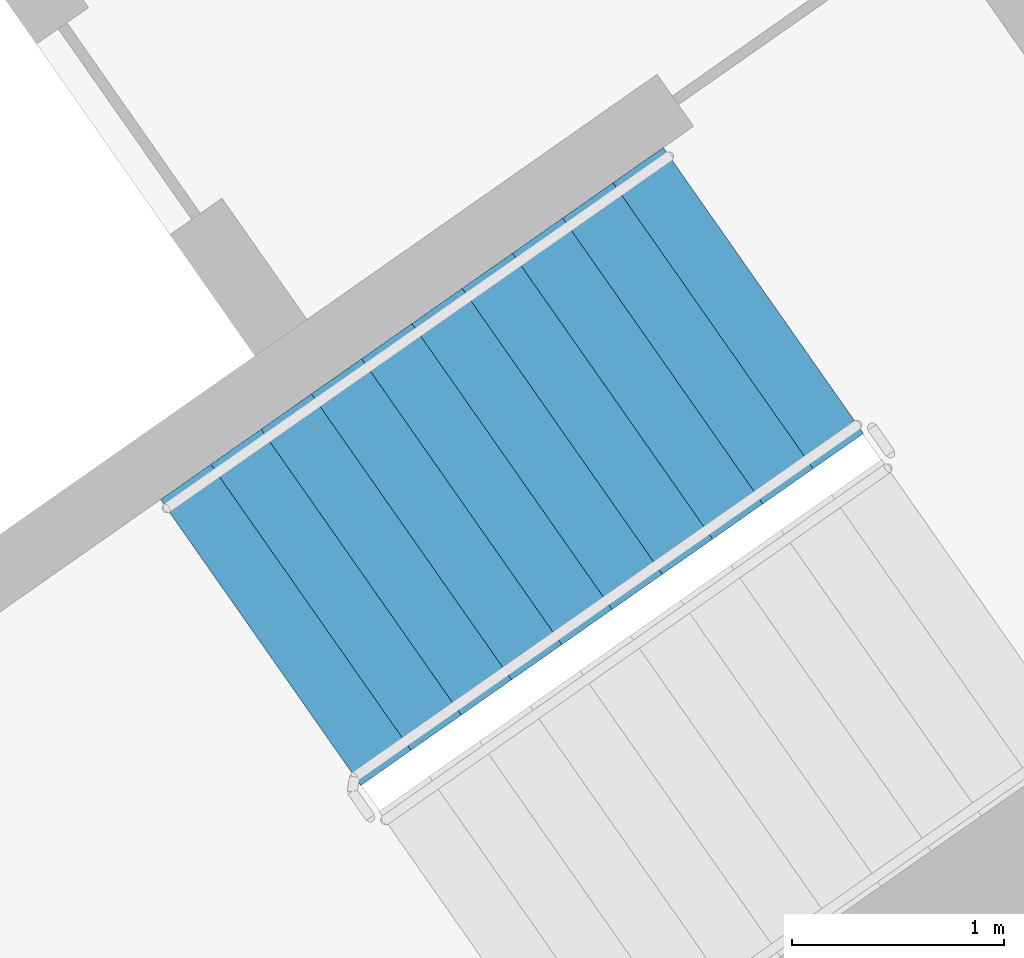
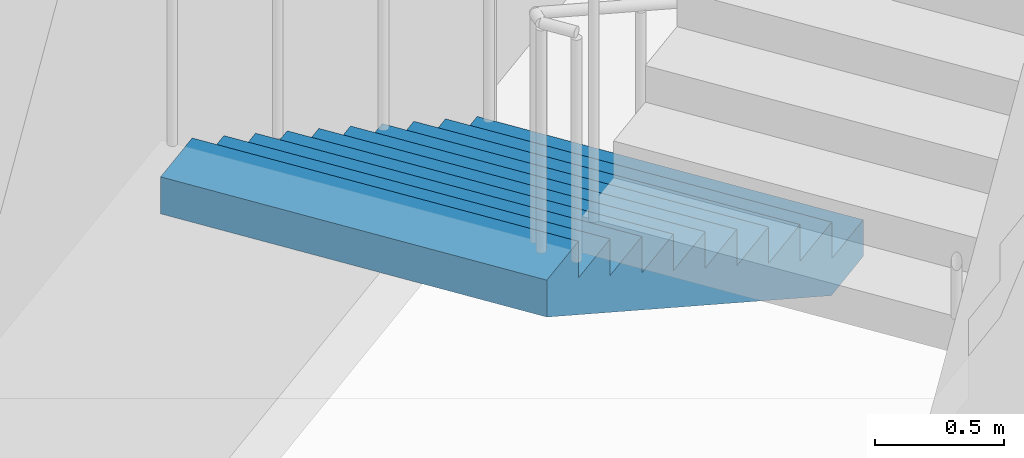
# One storey, part 15 of 28: 1 stair flight, 1 element without a shape of its own.
"""IFC4 building model written with IfcOpenShell, lengths in metres."""

import ifcopenshell
import ifcopenshell.guid

model = None  # the IFC model being written
_history = None  # IfcOwnerHistory: only IFC2X3 demands one
_inside = {}  # id of a spatial element -> (the spatial element, [elements in it])
_under = {}  # id of a project, library or spatial element -> (it, [spatial elements below it])
_declared = {}  # id of a project -> (the project, [libraries it declares])
_typed = {}  # id of a type object -> (the type object, [elements of that type])
_made_of = {}  # id of a material, layer set ... -> (it, [elements and type objects made of it])


def new_model(schema):
    """Start an empty IFC model of exactly this schema.

    Asked for "IFC4X3", IfcOpenShell would pick the latest addendum, in which some entities
    have other attributes; the version numbers below select the first issue.
    IFC2X3 requires an IfcOwnerHistory on every rooted entity: one is made here for all.
    """
    global model, _history
    if schema == "IFC4X3":
        model = ifcopenshell.file(schema_version=(4, 3, 0, 0))
    else:
        model = ifcopenshell.file(schema=schema)
    _inside.clear()
    _under.clear()
    _declared.clear()
    _typed.clear()
    _made_of.clear()
    _history = None
    if model.schema == "IFC2X3":
        org = make("IfcOrganization", Name="unknown")
        user = make(
            "IfcPersonAndOrganization",
            ThePerson=make("IfcPerson", FamilyName="unknown"),
            TheOrganization=org,
        )
        app = make(
            "IfcApplication",
            ApplicationDeveloper=org,
            Version="unknown",
            ApplicationFullName="unknown",
            ApplicationIdentifier="unknown",
        )
        _history = make(
            "IfcOwnerHistory",
            OwningUser=user,
            OwningApplication=app,
            ChangeAction="ADDED",
            CreationDate=0,
        )
    return model


def make(cls, **values):
    """One entity of the class cls with the attributes given. An attribute that is None is left unset."""
    return model.create_entity(
        cls, **{name: value for name, value in values.items() if value is not None}
    )


def rooted(cls, **values):
    """An entity with a GlobalId (a new one), such as an element, a storey or a relation."""
    return make(cls, GlobalId=ifcopenshell.guid.new(), OwnerHistory=_history, **values)


def si_unit(unit_type, name, prefix=None):
    """IfcSIUnit, for example si_unit("LENGTHUNIT", "METRE", prefix="MILLI")."""
    return make("IfcSIUnit", UnitType=unit_type, Prefix=prefix, Name=name)


def assignment(units):
    """IfcUnitAssignment: the units of a project."""
    return None if units is None else make("IfcUnitAssignment", Units=units)


def point(xyz):
    """IfcCartesianPoint."""
    return None if xyz is None else make("IfcCartesianPoint", Coordinates=xyz)


def direction(xyz):
    """IfcDirection."""
    return None if xyz is None else make("IfcDirection", DirectionRatios=xyz)


def frame(location, z_axis=None, x_axis=None):
    """IfcAxis2Placement3D, a coordinate frame: its origin and axes. An axis left out is left unset."""
    return make(
        "IfcAxis2Placement3D",
        Location=point(location),
        Axis=direction(z_axis),
        RefDirection=direction(x_axis),
    )


def origin():
    """The frame at (0, 0, 0) with its axes left unset."""
    return frame((0.0, 0.0, 0.0))


def place(relative_to, where):
    """IfcLocalPlacement: puts the frame where relative to a parent placement (None: the world)."""
    return make(
        "IfcLocalPlacement", PlacementRelTo=relative_to, RelativePlacement=where
    )


def context(
    kind, dimensions, precision=None, world=None, true_north=None, identifier=None
):
    """IfcGeometricRepresentationContext, for example the 3D "Model" context."""
    return make(
        "IfcGeometricRepresentationContext",
        ContextIdentifier=identifier,
        ContextType=kind,
        CoordinateSpaceDimension=dimensions,
        Precision=precision,
        WorldCoordinateSystem=world,
        TrueNorth=true_north,
    )


def subcontext(parent, identifier, kind, view, scale=None):
    """IfcGeometricRepresentationSubContext, for example "Body" below "Model"."""
    return make(
        "IfcGeometricRepresentationSubContext",
        ContextIdentifier=identifier,
        ContextType=kind,
        ParentContext=parent,
        TargetScale=scale,
        TargetView=view,
    )


def project(units=None, contexts=None):
    """IfcProject with its units and contexts."""
    return rooted(
        "IfcProject",
        Name="project",
        RepresentationContexts=contexts,
        UnitsInContext=assignment(units),
    )


def spatial(cls, under=None, at=None, **own):
    """A site, building, storey or space (cls), placed at a placement, below another one or the project."""
    s = rooted(cls, ObjectPlacement=at, **own)
    if under is not None:
        _under.setdefault(under.id(), (under, []))[1].append(s)
    return s


def faces_of(points, faces, orient=None, outer=None):
    """IfcFace entities. A face is a list of loops; a loop is a list of indices into points, from 0.

    orient and outer hold one flag for each loop. By default every Orientation is true, the
    first loop of a face is its IfcFaceOuterBound and the others are IfcFaceBound.
    """
    made = []
    for i, loops in enumerate(faces):
        bounds = []
        for j, loop in enumerate(loops):
            is_outer = j == 0 if outer is None else outer[i][j]
            bounds.append(
                make(
                    "IfcFaceOuterBound" if is_outer else "IfcFaceBound",
                    Bound=make("IfcPolyLoop", Polygon=[points[k] for k in loop]),
                    Orientation=True if orient is None else orient[i][j],
                )
            )
        made.append(make("IfcFace", Bounds=bounds))
    return made


def faceted_brep(points, faces, orient=None, outer=None, voids=None):
    """IfcFacetedBrep: a solid bounded by flat faces; with voids (closed shells), ...WithVoids."""
    shared = [point(p) for p in points]
    hull = make("IfcClosedShell", CfsFaces=faces_of(shared, faces, orient, outer))
    if voids is None:
        return make("IfcFacetedBrep", Outer=hull)
    return make(
        "IfcFacetedBrepWithVoids",
        Outer=hull,
        Voids=[
            make(cls, CfsFaces=faces_of(shared, fs, o, b)) for cls, fs, o, b in voids
        ],
    )


def shape(context_of_items, identifier, shape_type, items):
    """IfcShapeRepresentation: the items that make up one representation, for example the "Body"."""
    return make(
        "IfcShapeRepresentation",
        ContextOfItems=context_of_items,
        RepresentationIdentifier=identifier,
        RepresentationType=shape_type,
        Items=items,
    )


def material(Name=None, Category=None):
    """IfcMaterial."""
    return make("IfcMaterial", Name=Name, Category=Category)


def made_of(thing, what):
    """Note that an element or type object is made of a material, layer set ...; save() writes the relation."""
    if what is not None:
        _made_of.setdefault(what.id(), (what, []))[1].append(thing)
    return thing


def type_object(cls, material=None, **own):
    """A type object (cls), such as IfcWallType, which elements share."""
    return made_of(rooted(cls, **own), material)


def element(
    cls,
    number,
    at=None,
    inside=None,
    cuts=None,
    type_object=None,
    material=None,
    context=None,
    identifier="Body",
    shape_type=None,
    held_by="IfcProductDefinitionShape",
    body=None,
    shapes=None,
    **own,
):
    """One element of the class cls, such as IfcWall. Its Tag is "e" and its number.

    at: its placement. inside: the storey or other place that contains it. cuts: it is an
    opening in that element (IfcRelVoidsElement). A single representation is given by context,
    identifier, shape_type and body (its items); several are given by shapes. held_by: the class
    of the entity that holds the representations. save() writes the other relations.
    """
    e = rooted(cls, Tag="e%d" % number, ObjectPlacement=at, **own)
    if body is not None:
        shapes = [shape(context, identifier, shape_type, body)]
    if shapes is not None:
        e.Representation = make(held_by, Representations=shapes)
    if inside is not None:
        _inside.setdefault(inside.id(), (inside, []))[1].append(e)
    if cuts is not None:
        rooted(
            "IfcRelVoidsElement", RelatingBuildingElement=cuts, RelatedOpeningElement=e
        )
    if type_object is not None:
        _typed.setdefault(type_object.id(), (type_object, []))[1].append(e)
    return made_of(e, material)


def aggregate(whole, parts):
    """IfcRelAggregates: a whole, such as a stair, and the parts it consists of."""
    return rooted("IfcRelAggregates", RelatingObject=whole, RelatedObjects=parts)


def save(model, path):
    """Write the relations noted so far, then the file.

    IfcRelAggregates (storeys below a building ...), IfcRelContainedInSpatialStructure (elements
    in a storey), IfcRelDefinesByType, IfcRelAssociatesMaterial and IfcRelDeclares: one each for
    every whole, place, type object, material and project.
    """
    for whole, parts in _under.values():
        aggregate(whole, parts)
    for where, things in _inside.values():
        rooted(
            "IfcRelContainedInSpatialStructure",
            RelatedElements=things,
            RelatingStructure=where,
        )
    for kind, things in _typed.values():
        rooted("IfcRelDefinesByType", RelatedObjects=things, RelatingType=kind)
    for what, things in _made_of.values():
        rooted("IfcRelAssociatesMaterial", RelatedObjects=things, RelatingMaterial=what)
    for by, libraries in _declared.values():
        rooted("IfcRelDeclares", RelatingContext=by, RelatedDefinitions=libraries)
    model.write(path)


model = new_model("IFC4")

# Units and contexts
model_context = context("Model", 3, precision=1e-05, world=origin(), true_north=direction((0.0, 1.0)))
body_context = subcontext(model_context, "Body", "Model", "MODEL_VIEW")
ifc_project = project(units=[si_unit("LENGTHUNIT", "METRE"), si_unit("AREAUNIT", "SQUARE_METRE"), si_unit("VOLUMEUNIT", "CUBIC_METRE"), si_unit("PLANEANGLEUNIT", "RADIAN"), si_unit("MASSUNIT", "GRAM", prefix="KILO")], contexts=[model_context])

# Site, building, storey
site_placement = place(None, origin())
site = spatial("IfcSite", under=ifc_project, at=site_placement, CompositionType="ELEMENT")
building_placement = place(site_placement, origin())
building = spatial("IfcBuilding", under=site, at=building_placement, Name="Qamariyya Broadcast Tower", CompositionType="ELEMENT")
storey_placement = place(building_placement, frame((0.0, 0.0, 230.300048828125)))
storey = spatial("IfcBuildingStorey", under=building, at=storey_placement, Name="L55", CompositionType="ELEMENT", Elevation=230.300048828125)

# Stair, stair flight
ifc_material = material(Name="Concrete C50/60", Category="concrete")
stair_type = type_object("IfcStairType", Name="Exit stair 22 risers of 173 mm", PredefinedType="HALF_TURN_STAIR", material=ifc_material)
stair_placement = place(storey_placement, origin())
stair = element("IfcStair", 1, at=stair_placement, inside=storey, type_object=stair_type, Name="L55 Stair E1", PredefinedType="HALF_TURN_STAIR")
stair_flight_type = type_object("IfcStairFlightType", Name="Exit stair flight 11 risers of 173 mm", PredefinedType="STRAIGHT", material=ifc_material)
stair_flight_placement = place(storey_placement, frame((46.036376953125, -55.508056640625, 0.0), z_axis=(0.0, 0.0, 1.0), x_axis=(-0.819152044289, -0.573576436351, 0.0)))
stair_flight = element("IfcStairFlight", 2, at=stair_flight_placement, type_object=stair_flight_type, Name="ST-E1 flight 1", NumberOfRisers=11, NumberOfTreads=10, PredefinedType="STRAIGHT", RiserHeight=0.172727273, TreadLength=0.29, context=body_context, shape_type="Brep", body=[
    faceted_brep([(0.0, 0.824951171875, 0.0), (0.0, 0.824951171875, 0.172607421875), (0.2900390625, 0.824951171875, 0.172607421875), (0.2900390625, 0.824951171875, 0.345458984375), (0.580078125, 0.824951171875, 0.345458984375), (0.580078125, 0.824951171875, 0.51806640625), (0.8701171875, 0.824951171875, 0.51806640625), (0.8701171875, 0.824951171875, 0.69091796875), (1.159912109375, 0.824951171875, 0.69091796875), (1.159912109375, 0.824951171875, 0.863525390625), (1.449951171875, 0.824951171875, 0.863525390625), (1.449951171875, 0.824951171875, 1.036376953125), (1.739990234375, 0.824951171875, 1.036376953125), (1.739990234375, 0.824951171875, 1.208984375), (2.030029296875, 0.824951171875, 1.208984375), (2.030029296875, 0.824951171875, 1.3818359375), (2.320068359375, 0.824951171875, 1.3818359375), (2.320068359375, 0.824951171875, 1.554443359375), (2.610107421875, 0.824951171875, 1.554443359375), (2.610107421875, 0.824951171875, 1.727294921875), (2.89990234375, 0.824951171875, 1.727294921875), (2.89990234375, 0.824951171875, 1.552734375), (0.29296875, 0.824951171875, 0.0), (0.29296875, -0.824951171875, 0.0), (2.89990234375, -0.824951171875, 1.552734375), (2.89990234375, -0.824951171875, 1.727294921875), (2.610107421875, -0.824951171875, 1.727294921875), (2.610107421875, -0.824951171875, 1.554443359375), (2.320068359375, -0.824951171875, 1.554443359375), (2.320068359375, -0.824951171875, 1.3818359375), (2.030029296875, -0.824951171875, 1.3818359375), (2.030029296875, -0.824951171875, 1.208984375), (1.739990234375, -0.824951171875, 1.208984375), (1.739990234375, -0.824951171875, 1.036376953125), (1.449951171875, -0.824951171875, 1.036376953125), (1.449951171875, -0.824951171875, 0.863525390625), (1.159912109375, -0.824951171875, 0.863525390625), (1.159912109375, -0.824951171875, 0.69091796875), (0.8701171875, -0.824951171875, 0.69091796875), (0.8701171875, -0.824951171875, 0.51806640625), (0.580078125, -0.824951171875, 0.51806640625), (0.580078125, -0.824951171875, 0.345458984375), (0.2900390625, -0.824951171875, 0.345458984375), (0.2900390625, -0.824951171875, 0.172607421875), (0.0, -0.824951171875, 0.172607421875), (0.0, -0.824951171875, 0.0), (0.0, 0.10009765625, 0.0), (0.0, 0.086669921875, 0.0), (0.0, 0.0732421875, 0.0), (0.0, 0.06005859375, 0.0), (0.0, 0.046630859375, 0.0), (0.0, 0.033447265625, 0.0), (0.0, 0.02001953125, 0.0), (0.0, 0.006591796875, 0.0), (0.0, -0.006591796875, 0.0), (0.0, -0.02001953125, 0.0), (0.0, -0.033447265625, 0.0), (0.0, -0.046630859375, 0.0), (0.0, -0.06005859375, 0.0), (0.0, -0.0732421875, 0.0), (0.0, -0.086669921875, 0.0), (0.0, -0.10009765625, 0.0), (0.0, -0.10009765625, 0.172607421875), (0.0, -0.086669921875, 0.172607421875), (0.0, -0.0732421875, 0.172607421875), (0.0, -0.06005859375, 0.172607421875), (0.0, -0.046630859375, 0.172607421875), (0.0, -0.033447265625, 0.172607421875), (0.0, -0.02001953125, 0.172607421875), (0.0, -0.006591796875, 0.172607421875), (0.0, 0.006591796875, 0.172607421875), (0.0, 0.02001953125, 0.172607421875), (0.0, 0.033447265625, 0.172607421875), (0.0, 0.046630859375, 0.172607421875), (0.0, 0.06005859375, 0.172607421875), (0.0, 0.0732421875, 0.172607421875), (0.0, 0.086669921875, 0.172607421875), (0.0, 0.10009765625, 0.172607421875), (0.2900390625, -0.10009765625, 0.172607421875), (0.2900390625, -0.086669921875, 0.172607421875), (0.2900390625, -0.0732421875, 0.172607421875), (0.2900390625, -0.06005859375, 0.172607421875), (0.2900390625, -0.046630859375, 0.172607421875), (0.2900390625, -0.033447265625, 0.172607421875), (0.2900390625, -0.02001953125, 0.172607421875), (0.2900390625, -0.006591796875, 0.172607421875), (0.2900390625, 0.006591796875, 0.172607421875), (0.2900390625, 0.02001953125, 0.172607421875), (0.2900390625, 0.033447265625, 0.172607421875), (0.2900390625, 0.046630859375, 0.172607421875), (0.2900390625, 0.06005859375, 0.172607421875), (0.2900390625, 0.0732421875, 0.172607421875), (0.2900390625, 0.086669921875, 0.172607421875), (0.2900390625, 0.10009765625, 0.172607421875), (0.2900390625, -0.10009765625, 0.345458984375), (0.2900390625, -0.086669921875, 0.345458984375), (0.2900390625, -0.0732421875, 0.345458984375), (0.2900390625, -0.06005859375, 0.345458984375), (0.2900390625, -0.046630859375, 0.345458984375), (0.2900390625, -0.033447265625, 0.345458984375), (0.2900390625, -0.02001953125, 0.345458984375), (0.2900390625, -0.006591796875, 0.345458984375), (0.2900390625, 0.006591796875, 0.345458984375), (0.2900390625, 0.02001953125, 0.345458984375), (0.2900390625, 0.033447265625, 0.345458984375), (0.2900390625, 0.046630859375, 0.345458984375), (0.2900390625, 0.06005859375, 0.345458984375), (0.2900390625, 0.0732421875, 0.345458984375), (0.2900390625, 0.086669921875, 0.345458984375), (0.2900390625, 0.10009765625, 0.345458984375), (0.580078125, -0.10009765625, 0.345458984375), (0.580078125, -0.086669921875, 0.345458984375), (0.580078125, -0.0732421875, 0.345458984375), (0.580078125, -0.06005859375, 0.345458984375), (0.580078125, -0.046630859375, 0.345458984375), (0.580078125, -0.033447265625, 0.345458984375), (0.580078125, -0.02001953125, 0.345458984375), (0.580078125, -0.006591796875, 0.345458984375), (0.580078125, 0.006591796875, 0.345458984375), (0.580078125, 0.02001953125, 0.345458984375), (0.580078125, 0.033447265625, 0.345458984375), (0.580078125, 0.046630859375, 0.345458984375), (0.580078125, 0.06005859375, 0.345458984375), (0.580078125, 0.0732421875, 0.345458984375), (0.580078125, 0.086669921875, 0.345458984375), (0.580078125, 0.10009765625, 0.345458984375), (0.580078125, -0.10009765625, 0.51806640625), (0.580078125, -0.086669921875, 0.51806640625), (0.580078125, -0.0732421875, 0.51806640625), (0.580078125, -0.06005859375, 0.51806640625), (0.580078125, -0.046630859375, 0.51806640625), (0.580078125, -0.033447265625, 0.51806640625), (0.580078125, -0.02001953125, 0.51806640625), (0.580078125, -0.006591796875, 0.51806640625), (0.580078125, 0.006591796875, 0.51806640625), (0.580078125, 0.02001953125, 0.51806640625), (0.580078125, 0.033447265625, 0.51806640625), (0.580078125, 0.046630859375, 0.51806640625), (0.580078125, 0.06005859375, 0.51806640625), (0.580078125, 0.0732421875, 0.51806640625), (0.580078125, 0.086669921875, 0.51806640625), (0.580078125, 0.10009765625, 0.51806640625), (0.8701171875, -0.10009765625, 0.51806640625), (0.8701171875, -0.086669921875, 0.51806640625), (0.8701171875, -0.0732421875, 0.51806640625), (0.8701171875, -0.06005859375, 0.51806640625), (0.8701171875, -0.046630859375, 0.51806640625), (0.8701171875, -0.033447265625, 0.51806640625), (0.8701171875, -0.02001953125, 0.51806640625), (0.8701171875, -0.006591796875, 0.51806640625), (0.8701171875, 0.006591796875, 0.51806640625), (0.8701171875, 0.02001953125, 0.51806640625), (0.8701171875, 0.033447265625, 0.51806640625), (0.8701171875, 0.046630859375, 0.51806640625), (0.8701171875, 0.06005859375, 0.51806640625), (0.8701171875, 0.0732421875, 0.51806640625), (0.8701171875, 0.086669921875, 0.51806640625), (0.8701171875, 0.10009765625, 0.51806640625), (0.8701171875, -0.10009765625, 0.69091796875), (0.8701171875, -0.086669921875, 0.69091796875), (0.8701171875, -0.0732421875, 0.69091796875), (0.8701171875, -0.06005859375, 0.69091796875), (0.8701171875, -0.046630859375, 0.69091796875), (0.8701171875, -0.033447265625, 0.69091796875), (0.8701171875, -0.02001953125, 0.69091796875), (0.8701171875, -0.006591796875, 0.69091796875), (0.8701171875, 0.006591796875, 0.69091796875), (0.8701171875, 0.02001953125, 0.69091796875), (0.8701171875, 0.033447265625, 0.69091796875), (0.8701171875, 0.046630859375, 0.69091796875), (0.8701171875, 0.06005859375, 0.69091796875), (0.8701171875, 0.0732421875, 0.69091796875), (0.8701171875, 0.086669921875, 0.69091796875), (0.8701171875, 0.10009765625, 0.69091796875), (1.159912109375, -0.10009765625, 0.69091796875), (1.159912109375, -0.086669921875, 0.69091796875), (1.159912109375, -0.0732421875, 0.69091796875), (1.159912109375, -0.06005859375, 0.69091796875), (1.159912109375, -0.046630859375, 0.69091796875), (1.159912109375, -0.033447265625, 0.69091796875), (1.159912109375, -0.02001953125, 0.69091796875), (1.159912109375, -0.006591796875, 0.69091796875), (1.159912109375, 0.006591796875, 0.69091796875), (1.159912109375, 0.02001953125, 0.69091796875), (1.159912109375, 0.033447265625, 0.69091796875), (1.159912109375, 0.046630859375, 0.69091796875), (1.159912109375, 0.06005859375, 0.69091796875), (1.159912109375, 0.0732421875, 0.69091796875), (1.159912109375, 0.086669921875, 0.69091796875), (1.159912109375, 0.10009765625, 0.69091796875), (1.159912109375, -0.10009765625, 0.863525390625), (1.159912109375, -0.086669921875, 0.863525390625), (1.159912109375, -0.0732421875, 0.863525390625), (1.159912109375, -0.06005859375, 0.863525390625), (1.159912109375, -0.046630859375, 0.863525390625), (1.159912109375, -0.033447265625, 0.863525390625), (1.159912109375, -0.02001953125, 0.863525390625), (1.159912109375, -0.006591796875, 0.863525390625), (1.159912109375, 0.006591796875, 0.863525390625), (1.159912109375, 0.02001953125, 0.863525390625), (1.159912109375, 0.033447265625, 0.863525390625), (1.159912109375, 0.046630859375, 0.863525390625), (1.159912109375, 0.06005859375, 0.863525390625), (1.159912109375, 0.0732421875, 0.863525390625), (1.159912109375, 0.086669921875, 0.863525390625), (1.159912109375, 0.10009765625, 0.863525390625), (1.449951171875, -0.10009765625, 0.863525390625), (1.449951171875, -0.086669921875, 0.863525390625), (1.449951171875, -0.0732421875, 0.863525390625), (1.449951171875, -0.06005859375, 0.863525390625), (1.449951171875, -0.046630859375, 0.863525390625), (1.449951171875, -0.033447265625, 0.863525390625), (1.449951171875, -0.02001953125, 0.863525390625), (1.449951171875, -0.006591796875, 0.863525390625), (1.449951171875, 0.006591796875, 0.863525390625), (1.449951171875, 0.02001953125, 0.863525390625), (1.449951171875, 0.033447265625, 0.863525390625), (1.449951171875, 0.046630859375, 0.863525390625), (1.449951171875, 0.06005859375, 0.863525390625), (1.449951171875, 0.0732421875, 0.863525390625), (1.449951171875, 0.086669921875, 0.863525390625), (1.449951171875, 0.10009765625, 0.863525390625), (1.449951171875, -0.10009765625, 1.036376953125), (1.449951171875, -0.086669921875, 1.036376953125), (1.449951171875, -0.0732421875, 1.036376953125), (1.449951171875, -0.06005859375, 1.036376953125), (1.449951171875, -0.046630859375, 1.036376953125), (1.449951171875, -0.033447265625, 1.036376953125), (1.449951171875, -0.02001953125, 1.036376953125), (1.449951171875, -0.006591796875, 1.036376953125), (1.449951171875, 0.006591796875, 1.036376953125), (1.449951171875, 0.02001953125, 1.036376953125), (1.449951171875, 0.033447265625, 1.036376953125), (1.449951171875, 0.046630859375, 1.036376953125), (1.449951171875, 0.06005859375, 1.036376953125), (1.449951171875, 0.0732421875, 1.036376953125), (1.449951171875, 0.086669921875, 1.036376953125), (1.449951171875, 0.10009765625, 1.036376953125), (1.739990234375, -0.10009765625, 1.036376953125), (1.739990234375, -0.086669921875, 1.036376953125), (1.739990234375, -0.0732421875, 1.036376953125), (1.739990234375, -0.06005859375, 1.036376953125), (1.739990234375, -0.046630859375, 1.036376953125), (1.739990234375, -0.033447265625, 1.036376953125), (1.739990234375, -0.02001953125, 1.036376953125), (1.739990234375, -0.006591796875, 1.036376953125), (1.739990234375, 0.006591796875, 1.036376953125), (1.739990234375, 0.02001953125, 1.036376953125), (1.739990234375, 0.033447265625, 1.036376953125), (1.739990234375, 0.046630859375, 1.036376953125), (1.739990234375, 0.06005859375, 1.036376953125), (1.739990234375, 0.0732421875, 1.036376953125), (1.739990234375, 0.086669921875, 1.036376953125), (1.739990234375, 0.10009765625, 1.036376953125), (1.739990234375, -0.10009765625, 1.208984375), (1.739990234375, -0.086669921875, 1.208984375), (1.739990234375, -0.0732421875, 1.208984375), (1.739990234375, -0.06005859375, 1.208984375), (1.739990234375, -0.046630859375, 1.208984375), (1.739990234375, -0.033447265625, 1.208984375), (1.739990234375, -0.02001953125, 1.208984375), (1.739990234375, -0.006591796875, 1.208984375), (1.739990234375, 0.006591796875, 1.208984375), (1.739990234375, 0.02001953125, 1.208984375), (1.739990234375, 0.033447265625, 1.208984375), (1.739990234375, 0.046630859375, 1.208984375), (1.739990234375, 0.06005859375, 1.208984375), (1.739990234375, 0.0732421875, 1.208984375), (1.739990234375, 0.086669921875, 1.208984375), (1.739990234375, 0.10009765625, 1.208984375), (2.030029296875, -0.10009765625, 1.208984375), (2.030029296875, -0.086669921875, 1.208984375), (2.030029296875, -0.0732421875, 1.208984375), (2.030029296875, -0.06005859375, 1.208984375), (2.030029296875, -0.046630859375, 1.208984375), (2.030029296875, -0.033447265625, 1.208984375), (2.030029296875, -0.02001953125, 1.208984375), (2.030029296875, -0.006591796875, 1.208984375), (2.030029296875, 0.006591796875, 1.208984375), (2.030029296875, 0.02001953125, 1.208984375), (2.030029296875, 0.033447265625, 1.208984375), (2.030029296875, 0.046630859375, 1.208984375), (2.030029296875, 0.06005859375, 1.208984375), (2.030029296875, 0.0732421875, 1.208984375), (2.030029296875, 0.086669921875, 1.208984375), (2.030029296875, 0.10009765625, 1.208984375), (2.030029296875, -0.10009765625, 1.3818359375), (2.030029296875, -0.086669921875, 1.3818359375), (2.030029296875, -0.0732421875, 1.3818359375), (2.030029296875, -0.06005859375, 1.3818359375), (2.030029296875, -0.046630859375, 1.3818359375), (2.030029296875, -0.033447265625, 1.3818359375), (2.030029296875, -0.02001953125, 1.3818359375), (2.030029296875, -0.006591796875, 1.3818359375), (2.030029296875, 0.006591796875, 1.3818359375), (2.030029296875, 0.02001953125, 1.3818359375), (2.030029296875, 0.033447265625, 1.3818359375), (2.030029296875, 0.046630859375, 1.3818359375), (2.030029296875, 0.06005859375, 1.3818359375), (2.030029296875, 0.0732421875, 1.3818359375), (2.030029296875, 0.086669921875, 1.3818359375), (2.030029296875, 0.10009765625, 1.3818359375), (2.320068359375, -0.10009765625, 1.3818359375), (2.320068359375, -0.086669921875, 1.3818359375), (2.320068359375, -0.0732421875, 1.3818359375), (2.320068359375, -0.06005859375, 1.3818359375), (2.320068359375, -0.046630859375, 1.3818359375), (2.320068359375, -0.033447265625, 1.3818359375), (2.320068359375, -0.02001953125, 1.3818359375), (2.320068359375, -0.006591796875, 1.3818359375), (2.320068359375, 0.006591796875, 1.3818359375), (2.320068359375, 0.02001953125, 1.3818359375), (2.320068359375, 0.033447265625, 1.3818359375), (2.320068359375, 0.046630859375, 1.3818359375), (2.320068359375, 0.06005859375, 1.3818359375), (2.320068359375, 0.0732421875, 1.3818359375), (2.320068359375, 0.086669921875, 1.3818359375), (2.320068359375, 0.10009765625, 1.3818359375), (2.320068359375, -0.10009765625, 1.554443359375), (2.320068359375, -0.086669921875, 1.554443359375), (2.320068359375, -0.0732421875, 1.554443359375), (2.320068359375, -0.06005859375, 1.554443359375), (2.320068359375, -0.046630859375, 1.554443359375), (2.320068359375, -0.033447265625, 1.554443359375), (2.320068359375, -0.02001953125, 1.554443359375), (2.320068359375, -0.006591796875, 1.554443359375), (2.320068359375, 0.006591796875, 1.554443359375), (2.320068359375, 0.02001953125, 1.554443359375), (2.320068359375, 0.033447265625, 1.554443359375), (2.320068359375, 0.046630859375, 1.554443359375), (2.320068359375, 0.06005859375, 1.554443359375), (2.320068359375, 0.0732421875, 1.554443359375), (2.320068359375, 0.086669921875, 1.554443359375), (2.320068359375, 0.10009765625, 1.554443359375), (2.610107421875, -0.10009765625, 1.554443359375), (2.610107421875, -0.086669921875, 1.554443359375), (2.610107421875, -0.0732421875, 1.554443359375), (2.610107421875, -0.06005859375, 1.554443359375), (2.610107421875, -0.046630859375, 1.554443359375), (2.610107421875, -0.033447265625, 1.554443359375), (2.610107421875, -0.02001953125, 1.554443359375), (2.610107421875, -0.006591796875, 1.554443359375), (2.610107421875, 0.006591796875, 1.554443359375), (2.610107421875, 0.02001953125, 1.554443359375), (2.610107421875, 0.033447265625, 1.554443359375), (2.610107421875, 0.046630859375, 1.554443359375), (2.610107421875, 0.06005859375, 1.554443359375), (2.610107421875, 0.0732421875, 1.554443359375), (2.610107421875, 0.086669921875, 1.554443359375), (2.610107421875, 0.10009765625, 1.554443359375), (2.610107421875, -0.10009765625, 1.727294921875), (2.610107421875, -0.086669921875, 1.727294921875), (2.610107421875, -0.0732421875, 1.727294921875), (2.610107421875, -0.06005859375, 1.727294921875), (2.610107421875, -0.046630859375, 1.727294921875), (2.610107421875, -0.033447265625, 1.727294921875), (2.610107421875, -0.02001953125, 1.727294921875), (2.610107421875, -0.006591796875, 1.727294921875), (2.610107421875, 0.006591796875, 1.727294921875), (2.610107421875, 0.02001953125, 1.727294921875), (2.610107421875, 0.033447265625, 1.727294921875), (2.610107421875, 0.046630859375, 1.727294921875), (2.610107421875, 0.06005859375, 1.727294921875), (2.610107421875, 0.0732421875, 1.727294921875), (2.610107421875, 0.086669921875, 1.727294921875), (2.610107421875, 0.10009765625, 1.727294921875), (2.89990234375, -0.10009765625, 1.727294921875), (2.89990234375, -0.086669921875, 1.727294921875), (2.89990234375, -0.0732421875, 1.727294921875), (2.89990234375, -0.06005859375, 1.727294921875), (2.89990234375, -0.046630859375, 1.727294921875), (2.89990234375, -0.033447265625, 1.727294921875), (2.89990234375, -0.02001953125, 1.727294921875), (2.89990234375, -0.006591796875, 1.727294921875), (2.89990234375, 0.006591796875, 1.727294921875), (2.89990234375, 0.02001953125, 1.727294921875), (2.89990234375, 0.033447265625, 1.727294921875), (2.89990234375, 0.046630859375, 1.727294921875), (2.89990234375, 0.06005859375, 1.727294921875), (2.89990234375, 0.0732421875, 1.727294921875), (2.89990234375, 0.086669921875, 1.727294921875), (2.89990234375, 0.10009765625, 1.727294921875), (2.89990234375, -0.10009765625, 1.552734375), (2.89990234375, -0.086669921875, 1.552734375), (2.89990234375, -0.0732421875, 1.552734375), (2.89990234375, -0.06005859375, 1.552734375), (2.89990234375, -0.046630859375, 1.552734375), (2.89990234375, -0.033447265625, 1.552734375), (2.89990234375, -0.02001953125, 1.552734375), (2.89990234375, -0.006591796875, 1.552734375), (2.89990234375, 0.006591796875, 1.552734375), (2.89990234375, 0.02001953125, 1.552734375), (2.89990234375, 0.033447265625, 1.552734375), (2.89990234375, 0.046630859375, 1.552734375), (2.89990234375, 0.06005859375, 1.552734375), (2.89990234375, 0.0732421875, 1.552734375), (2.89990234375, 0.086669921875, 1.552734375), (2.89990234375, 0.10009765625, 1.552734375), (0.29296875, -0.10009765625, 0.0), (0.29296875, -0.086669921875, 0.0), (0.29296875, -0.0732421875, 0.0), (0.29296875, -0.06005859375, 0.0), (0.29296875, -0.046630859375, 0.0), (0.29296875, -0.033447265625, 0.0), (0.29296875, -0.02001953125, 0.0), (0.29296875, -0.006591796875, 0.0), (0.29296875, 0.006591796875, 0.0), (0.29296875, 0.02001953125, 0.0), (0.29296875, 0.033447265625, 0.0), (0.29296875, 0.046630859375, 0.0), (0.29296875, 0.06005859375, 0.0), (0.29296875, 0.0732421875, 0.0), (0.29296875, 0.086669921875, 0.0), (0.29296875, 0.10009765625, 0.0)], [[[0, 1, 2, 3, 4, 5, 6, 7, 8, 9, 10, 11, 12, 13, 14, 15, 16, 17, 18, 19, 20, 21, 22]], [[23, 24, 25, 26, 27, 28, 29, 30, 31, 32, 33, 34, 35, 36, 37, 38, 39, 40, 41, 42, 43, 44, 45]], [[0, 46, 47, 48, 49, 50, 51, 52, 53, 54, 55, 56, 57, 58, 59, 60, 61, 45, 44, 62, 63, 64, 65, 66, 67, 68, 69, 70, 71, 72, 73, 74, 75, 76, 77, 1]], [[1, 77, 76, 75, 74, 73, 72, 71, 70, 69, 68, 67, 66, 65, 64, 63, 62, 44, 43, 78, 79, 80, 81, 82, 83, 84, 85, 86, 87, 88, 89, 90, 91, 92, 93, 2]], [[2, 93, 92, 91, 90, 89, 88, 87, 86, 85, 84, 83, 82, 81, 80, 79, 78, 43, 42, 94, 95, 96, 97, 98, 99, 100, 101, 102, 103, 104, 105, 106, 107, 108, 109, 3]], [[3, 109, 108, 107, 106, 105, 104, 103, 102, 101, 100, 99, 98, 97, 96, 95, 94, 42, 41, 110, 111, 112, 113, 114, 115, 116, 117, 118, 119, 120, 121, 122, 123, 124, 125, 4]], [[4, 125, 124, 123, 122, 121, 120, 119, 118, 117, 116, 115, 114, 113, 112, 111, 110, 41, 40, 126, 127, 128, 129, 130, 131, 132, 133, 134, 135, 136, 137, 138, 139, 140, 141, 5]], [[5, 141, 140, 139, 138, 137, 136, 135, 134, 133, 132, 131, 130, 129, 128, 127, 126, 40, 39, 142, 143, 144, 145, 146, 147, 148, 149, 150, 151, 152, 153, 154, 155, 156, 157, 6]], [[6, 157, 156, 155, 154, 153, 152, 151, 150, 149, 148, 147, 146, 145, 144, 143, 142, 39, 38, 158, 159, 160, 161, 162, 163, 164, 165, 166, 167, 168, 169, 170, 171, 172, 173, 7]], [[7, 173, 172, 171, 170, 169, 168, 167, 166, 165, 164, 163, 162, 161, 160, 159, 158, 38, 37, 174, 175, 176, 177, 178, 179, 180, 181, 182, 183, 184, 185, 186, 187, 188, 189, 8]], [[8, 189, 188, 187, 186, 185, 184, 183, 182, 181, 180, 179, 178, 177, 176, 175, 174, 37, 36, 190, 191, 192, 193, 194, 195, 196, 197, 198, 199, 200, 201, 202, 203, 204, 205, 9]], [[9, 205, 204, 203, 202, 201, 200, 199, 198, 197, 196, 195, 194, 193, 192, 191, 190, 36, 35, 206, 207, 208, 209, 210, 211, 212, 213, 214, 215, 216, 217, 218, 219, 220, 221, 10]], [[10, 221, 220, 219, 218, 217, 216, 215, 214, 213, 212, 211, 210, 209, 208, 207, 206, 35, 34, 222, 223, 224, 225, 226, 227, 228, 229, 230, 231, 232, 233, 234, 235, 236, 237, 11]], [[11, 237, 236, 235, 234, 233, 232, 231, 230, 229, 228, 227, 226, 225, 224, 223, 222, 34, 33, 238, 239, 240, 241, 242, 243, 244, 245, 246, 247, 248, 249, 250, 251, 252, 253, 12]], [[12, 253, 252, 251, 250, 249, 248, 247, 246, 245, 244, 243, 242, 241, 240, 239, 238, 33, 32, 254, 255, 256, 257, 258, 259, 260, 261, 262, 263, 264, 265, 266, 267, 268, 269, 13]], [[13, 269, 268, 267, 266, 265, 264, 263, 262, 261, 260, 259, 258, 257, 256, 255, 254, 32, 31, 270, 271, 272, 273, 274, 275, 276, 277, 278, 279, 280, 281, 282, 283, 284, 285, 14]], [[14, 285, 284, 283, 282, 281, 280, 279, 278, 277, 276, 275, 274, 273, 272, 271, 270, 31, 30, 286, 287, 288, 289, 290, 291, 292, 293, 294, 295, 296, 297, 298, 299, 300, 301, 15]], [[15, 301, 300, 299, 298, 297, 296, 295, 294, 293, 292, 291, 290, 289, 288, 287, 286, 30, 29, 302, 303, 304, 305, 306, 307, 308, 309, 310, 311, 312, 313, 314, 315, 316, 317, 16]], [[16, 317, 316, 315, 314, 313, 312, 311, 310, 309, 308, 307, 306, 305, 304, 303, 302, 29, 28, 318, 319, 320, 321, 322, 323, 324, 325, 326, 327, 328, 329, 330, 331, 332, 333, 17]], [[17, 333, 332, 331, 330, 329, 328, 327, 326, 325, 324, 323, 322, 321, 320, 319, 318, 28, 27, 334, 335, 336, 337, 338, 339, 340, 341, 342, 343, 344, 345, 346, 347, 348, 349, 18]], [[18, 349, 348, 347, 346, 345, 344, 343, 342, 341, 340, 339, 338, 337, 336, 335, 334, 27, 26, 350, 351, 352, 353, 354, 355, 356, 357, 358, 359, 360, 361, 362, 363, 364, 365, 19]], [[19, 365, 364, 363, 362, 361, 360, 359, 358, 357, 356, 355, 354, 353, 352, 351, 350, 26, 25, 366, 367, 368, 369, 370, 371, 372, 373, 374, 375, 376, 377, 378, 379, 380, 381, 20]], [[20, 381, 380, 379, 378, 377, 376, 375, 374, 373, 372, 371, 370, 369, 368, 367, 366, 25, 24, 382, 383, 384, 385, 386, 387, 388, 389, 390, 391, 392, 393, 394, 395, 396, 397, 21]], [[21, 397, 396, 395, 394, 393, 392, 391, 390, 389, 388, 387, 386, 385, 384, 383, 382, 24, 23, 398, 399, 400, 401, 402, 403, 404, 405, 406, 407, 408, 409, 410, 411, 412, 413, 22]], [[22, 413, 412, 411, 410, 409, 408, 407, 406, 405, 404, 403, 402, 401, 400, 399, 398, 23, 45, 61, 60, 59, 58, 57, 56, 55, 54, 53, 52, 51, 50, 49, 48, 47, 46, 0]]]),
])
aggregate(stair, [stair_flight])

save(model, "model.ifc")
